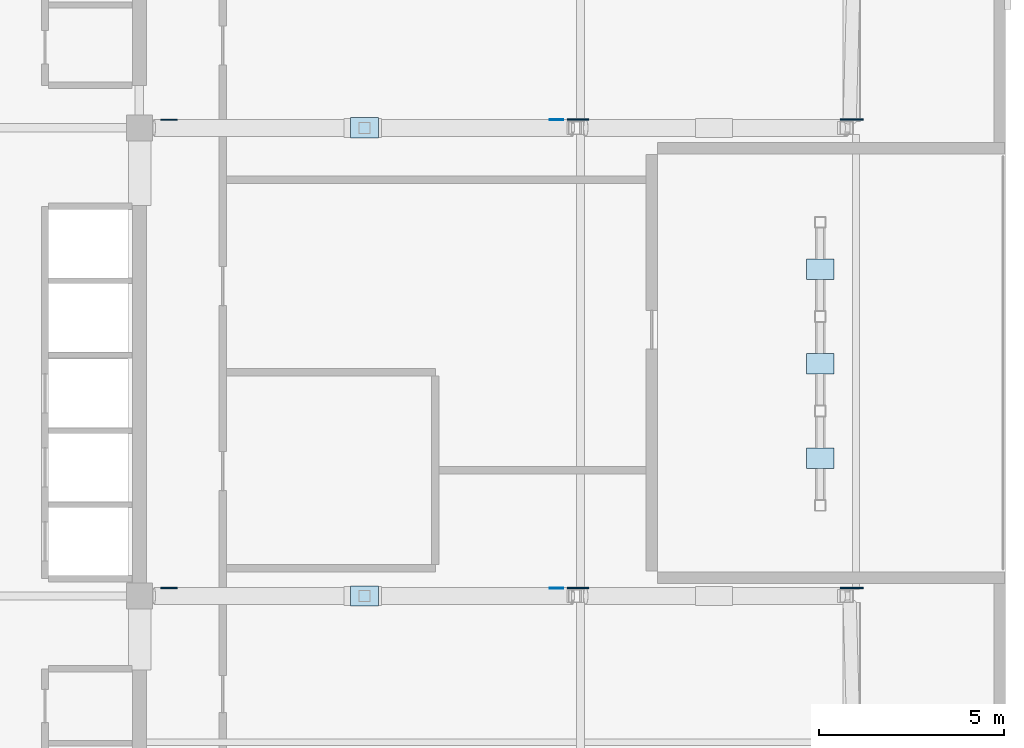
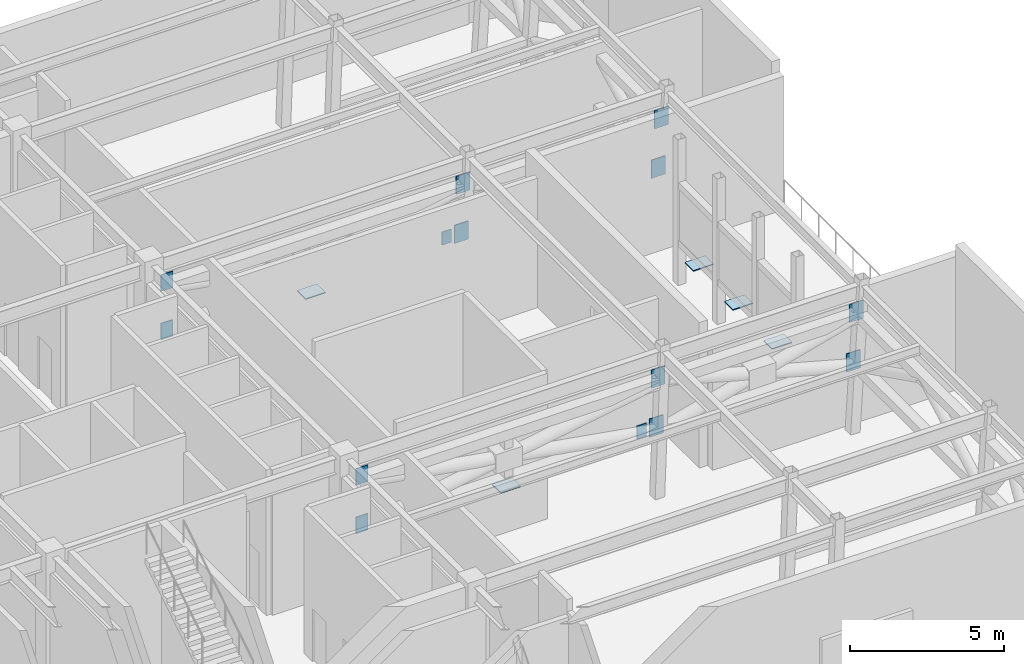
# One storey, part 5 of 12: 19 plates.
"""IFC4 building model written with IfcOpenShell, lengths in metres."""

from ifc_helpers import new_model, si_unit, direction, frame, origin, origin_2d, place, context, subcontext, project, spatial, rectangle, extrude, material, layer, layer_set, type_object, element, save


model = new_model("IFC4")

# Units and contexts
model_context = context("Model", 3, precision=1e-05, world=origin(), true_north=direction((0.0, 1.0)))
body_context = subcontext(model_context, "Body", "Model", "MODEL_VIEW")
ifc_project = project(units=[si_unit("LENGTHUNIT", "METRE"), si_unit("AREAUNIT", "SQUARE_METRE"), si_unit("VOLUMEUNIT", "CUBIC_METRE"), si_unit("PLANEANGLEUNIT", "RADIAN"), si_unit("MASSUNIT", "GRAM", prefix="KILO")], contexts=[model_context])

# Site, building, storey
site_placement = place(None, origin())
site = spatial("IfcSite", under=ifc_project, at=site_placement, CompositionType="ELEMENT")
building_placement = place(site_placement, origin())
building = spatial("IfcBuilding", under=site, at=building_placement, Name="Ochreholt Gables", CompositionType="ELEMENT")
storey_placement = place(building_placement, frame((0.0, 0.0, 199.800048828125)))
storey = spatial("IfcBuildingStorey", under=building, at=storey_placement, Name="L52", CompositionType="ELEMENT", Elevation=199.800048828125)

# Plates
ifc_material = material(Name="Steel CSA G40.21 350W", Category="steel")
ifc_layer_1 = layer(ifc_material, 0.0400390625, Name="Steel CSA G40.21 350W")
ifc_layer_set_1 = layer_set([ifc_layer_1], Name="Steel CSA G40.21 350W")
plate_type_1 = type_object("IfcPlateType", Name="PLT-BASE-40", PredefinedType="USERDEFINED", material=ifc_layer_set_1)
for number, where, z_axis, x_axis, name in (
    (1, (41.284912109375, 17.550048828125, 2.357421875), (0.0, 0.0, 1.0), (1.0, 0.0, 0.0), "L52 Outrigger Node Base Plate S"),
    (2, (41.284912109375, 30.199951171875, 2.357421875), (0.0, 0.0, 1.0), (1.0, 0.0, 0.0), "L52 Outrigger Node Base Plate N"),
    (3, (53.60009765625, 21.27490234375, 1.4833984375), (0.0, 0.0, 1.0), (1.0, 0.0, 0.0), "L52 Wind Turbine Vibration Mount Plate 1"),
    (4, (53.60009765625, 23.824951171875, 1.4833984375), (0.0, 0.0, 1.0), (1.0, 0.0, 0.0), "L52 Wind Turbine Vibration Mount Plate 2"),
    (5, (53.60009765625, 26.375, 1.4833984375), (0.0, 0.0, 1.0), (1.0, 0.0, 0.0), "L52 Wind Turbine Vibration Mount Plate 3"),
):
    element("IfcPlate", number, at=place(storey_placement, frame(where, z_axis=z_axis, x_axis=x_axis)), inside=storey, type_object=plate_type_1, Name=name, ObjectType="BASE PLATE", PredefinedType="USERDEFINED", context=body_context, shape_type="SweptSolid", body=[
        extrude(rectangle(XDim=0.75, YDim=0.550048828125, at=origin_2d()), origin(), (0.0, 0.0, 1.0), 0.0400390625),
    ])
ifc_layer_2 = layer(ifc_material, 0.031982421875, Name="Steel CSA G40.21 350W")
ifc_layer_set_2 = layer_set([ifc_layer_2], Name="Steel CSA G40.21 350W")
plate_type_2 = type_object("IfcPlateType", Name="PLT-GUSSET-32", PredefinedType="USERDEFINED", material=ifc_layer_set_2)
for number, where, z_axis, x_axis, name in (
    (6, (35.99951171875, 17.7685546875, 2.27490234375), (0.0, 0.0, 1.0), (1.0, 0.0, 0.0), "L52 Outrigger Gusset Plate S1"),
    (7, (35.99951171875, 17.7685546875, 4.195068359375), (0.0, 0.0, 1.0), (1.0, 0.0, 0.0), "L52 Outrigger Gusset Plate S2"),
    (8, (35.99951171875, 30.418701171875, 2.27490234375), (0.0, 0.0, 1.0), (1.0, 0.0, 0.0), "L52 Outrigger Gusset Plate N1"),
    (9, (35.99951171875, 30.418701171875, 4.195068359375), (0.0, 0.0, 1.0), (1.0, 0.0, 0.0), "L52 Outrigger Gusset Plate N2"),
):
    element("IfcPlate", number, at=place(storey_placement, frame(where, z_axis=z_axis, x_axis=x_axis)), inside=storey, type_object=plate_type_2, Name=name, ObjectType="GUSSET PLATE", PredefinedType="USERDEFINED", context=body_context, shape_type="SweptSolid", body=[
        extrude(rectangle(XDim=0.449951171875, YDim=0.031982421875, at=origin_2d()), origin(), (0.0, 0.0, 1.0), 0.64990234375),
    ])
ifc_layer_3 = layer(ifc_material, 0.0380859375, Name="Steel CSA G40.21 350W")
ifc_layer_set_3 = layer_set([ifc_layer_3], Name="Steel CSA G40.21 350W")
plate_type_3 = type_object("IfcPlateType", Name="PLT-GUSSET-38", PredefinedType="USERDEFINED", material=ifc_layer_set_3)
for number, where, z_axis, x_axis, name in (
    (10, (47.02001953125, 17.771484375, 2.23974609375), (0.0, 0.0, 1.0), (1.0, 0.0, 0.0), "L52 Outrigger End Gusset Plate SM1"),
    (11, (47.087158203125, 17.771484375, 4.16015625), (0.0, 0.0, 1.0), (1.0, 0.0, 0.0), "L52 Outrigger End Gusset Plate SM2"),
    (12, (54.39599609375, 17.771484375, 2.23974609375), (0.0, 0.0, 1.0), (1.0, 0.0, 0.0), "L52 Outrigger End Gusset Plate SE1"),
    (13, (54.50732421875, 17.771484375, 4.16015625), (0.0, 0.0, 1.0), (1.0, 0.0, 0.0), "L52 Outrigger End Gusset Plate SE2"),
    (14, (47.02001953125, 30.421630859375, 2.23974609375), (0.0, 0.0, 1.0), (1.0, 0.0, 0.0), "L52 Outrigger End Gusset Plate NM1"),
    (15, (47.087158203125, 30.421630859375, 4.16015625), (0.0, 0.0, 1.0), (1.0, 0.0, 0.0), "L52 Outrigger End Gusset Plate NM2"),
    (16, (54.39599609375, 30.421630859375, 2.23974609375), (0.0, 0.0, 1.0), (1.0, 0.0, 0.0), "L52 Outrigger End Gusset Plate NE1"),
    (17, (54.50732421875, 30.421630859375, 4.16015625), (0.0, 0.0, 1.0), (1.0, 0.0, 0.0), "L52 Outrigger End Gusset Plate NE2"),
):
    element("IfcPlate", number, at=place(storey_placement, frame(where, z_axis=z_axis, x_axis=x_axis)), inside=storey, type_object=plate_type_3, Name=name, ObjectType="GUSSET PLATE", PredefinedType="USERDEFINED", context=body_context, shape_type="SweptSolid", body=[
        extrude(rectangle(XDim=0.52001953125, YDim=0.0380859375, at=origin_2d()), origin(), (0.0, 0.0, 1.0), 0.719970703125),
    ])
ifc_layer_4 = layer(ifc_material, 0.02392578125, Name="Steel CSA G40.21 350W")
ifc_layer_set_4 = layer_set([ifc_layer_4], Name="Steel CSA G40.21 350W")
plate_type_4 = type_object("IfcPlateType", Name="PLT-STIFF-24", PredefinedType="SHEET", material=ifc_layer_set_4)
for number, where, z_axis, x_axis, name in (
    (18, (46.469970703125, 17.7646484375, 2.33984375), (0.0, 0.0, 1.0), (1.0, 0.0, 0.0), "L52 Outrigger Web Stiffener S"),
    (19, (46.469970703125, 30.41455078125, 2.33984375), (0.0, 0.0, 1.0), (1.0, 0.0, 0.0), "L52 Outrigger Web Stiffener N"),
):
    element("IfcPlate", number, at=place(storey_placement, frame(where, z_axis=z_axis, x_axis=x_axis)), inside=storey, type_object=plate_type_4, Name=name, PredefinedType="SHEET", context=body_context, shape_type="SweptSolid", body=[
        extrude(rectangle(XDim=0.360107421875, YDim=0.02392578125, at=origin_2d()), origin(), (0.0, 0.0, 1.0), 0.52001953125),
    ])

save(model, "model.ifc")
